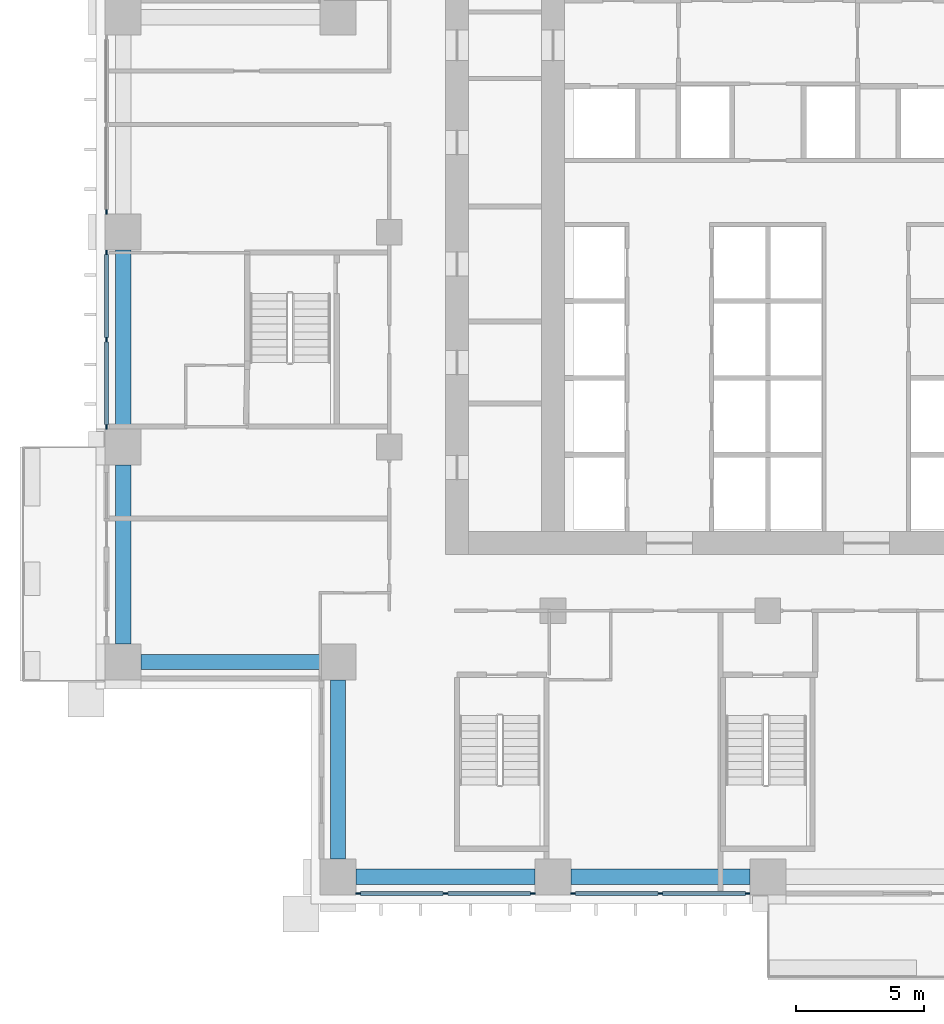
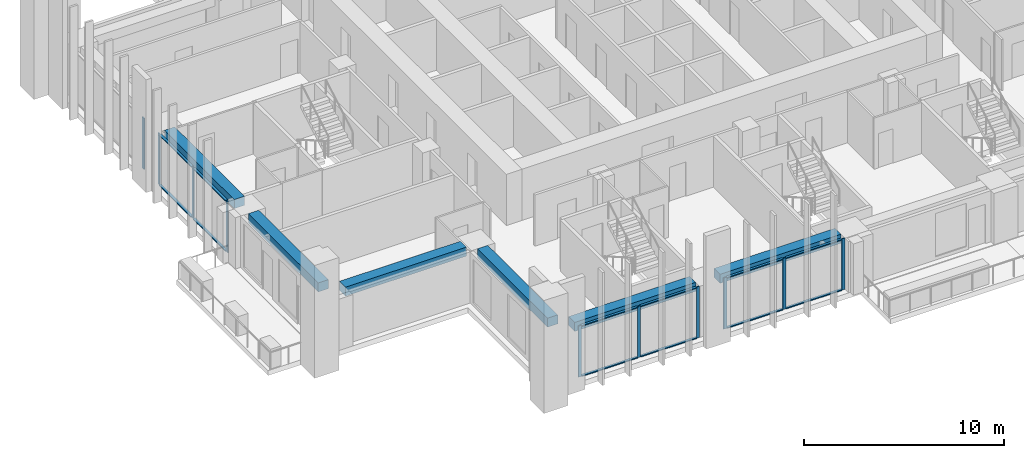
# One storey, part 2 of 19: 22 members, 6 beams, 4 elements without a shape of their own.
"""IFC4 building model written with IfcOpenShell, lengths in metres."""

from ifc_helpers import new_model, si_unit, direction, frame, origin, origin_2d, place, context, subcontext, project, spatial, rectangle, extrude, material, material_profile, profile_set, type_object, element, aggregate, save


model = new_model("IFC4")

# Units and contexts
model_context = context("Model", 3, precision=1e-05, world=origin(), true_north=direction((0.0, 1.0)))
body_context = subcontext(model_context, "Body", "Model", "MODEL_VIEW")
ifc_project = project(units=[si_unit("LENGTHUNIT", "METRE"), si_unit("AREAUNIT", "SQUARE_METRE"), si_unit("VOLUMEUNIT", "CUBIC_METRE"), si_unit("PLANEANGLEUNIT", "RADIAN"), si_unit("MASSUNIT", "GRAM", prefix="KILO")], contexts=[model_context])

# Site, building, storey
site_placement = place(None, origin())
site = spatial("IfcSite", under=ifc_project, at=site_placement, CompositionType="ELEMENT")
building_placement = place(site_placement, origin())
building = spatial("IfcBuilding", under=site, at=building_placement, Name="Vermilion Ogive Tower", CompositionType="ELEMENT")
storey_placement = place(building_placement, frame((0.0, 0.0, 62.10009765625)))
storey = spatial("IfcBuildingStorey", under=building, at=storey_placement, Name="L14", CompositionType="ELEMENT", Elevation=62.10009765625)

# Curtain wall, members
ifc_material_1 = material(Name="Low-iron laminated glazing in aluminium frame", Category="aluminium")
curtain_wall_type = type_object("IfcCurtainWallType", Name="Curtain wall CW7", PredefinedType="NOTDEFINED", material=ifc_material_1)
curtain_wall_1_placement = place(storey_placement, origin())
curtain_wall_1 = element("IfcCurtainWall", 1, at=curtain_wall_1_placement, inside=storey, type_object=curtain_wall_type, Name="Glazed skin S1", PredefinedType="NOTDEFINED")
ifc_material_2 = material(Name="Aluminium mullion", Category="aluminium")
ifc_material_profile_1 = material_profile(ifc_material_2, rectangle(XDim=0.06005859375, YDim=0.179931640625, at=origin_2d()), Name="AL 60x180")
ifc_profile_set_1 = profile_set([ifc_material_profile_1], Name="Aluminium mullion")
member_type_1 = type_object("IfcMemberType", Name="CW7 mullion 60x180", PredefinedType="MULLION", material=ifc_profile_set_1)
member_1_placement = place(storey_placement, frame((-16.010009765625, -21.64990234375, 0.0), z_axis=(0.0, 0.0, 1.0), x_axis=(0.0, 1.0, 0.0)))
member_1 = element("IfcMember", 2, at=member_1_placement, type_object=member_type_1, Name="CW7-S1 mullion 1", PredefinedType="MULLION", context=body_context, shape_type="SweptSolid", body=[
    extrude(rectangle(XDim=0.06005859375, YDim=0.179931640625, at=origin_2d()), origin(), (0.0, 0.0, 1.0), 3.1298828125),
])
member_2_placement = place(storey_placement, frame((-12.60009765625, -21.64990234375, 0.0), z_axis=(0.0, 0.0, 1.0), x_axis=(0.0, 1.0, 0.0)))
member_2 = element("IfcMember", 3, at=member_2_placement, type_object=member_type_1, Name="CW7-S1 mullion 2", PredefinedType="MULLION", context=body_context, shape_type="SweptSolid", body=[
    extrude(rectangle(XDim=0.06005859375, YDim=0.179931640625, at=origin_2d()), origin(), (0.0, 0.0, 1.0), 3.1298828125),
])
member_3_placement = place(storey_placement, frame((-9.18994140625, -21.64990234375, 0.0), z_axis=(0.0, 0.0, 1.0), x_axis=(0.0, 1.0, 0.0)))
member_3 = element("IfcMember", 4, at=member_3_placement, type_object=member_type_1, Name="CW7-S1 mullion 3", PredefinedType="MULLION", context=body_context, shape_type="SweptSolid", body=[
    extrude(rectangle(XDim=0.06005859375, YDim=0.179931640625, at=origin_2d()), origin(), (0.0, 0.0, 1.0), 3.1298828125),
])

curtain_wall_2_placement = place(storey_placement, origin())
curtain_wall_2 = element("IfcCurtainWall", 5, at=curtain_wall_2_placement, inside=storey, type_object=curtain_wall_type, Name="Glazed skin S2", PredefinedType="NOTDEFINED")
member_4_placement = place(storey_placement, frame((-7.610107421875, -21.64990234375, 0.0), z_axis=(0.0, 0.0, 1.0), x_axis=(0.0, 1.0, 0.0)))
member_4 = element("IfcMember", 6, at=member_4_placement, type_object=member_type_1, Name="CW7-S2 mullion 1", PredefinedType="MULLION", context=body_context, shape_type="SweptSolid", body=[
    extrude(rectangle(XDim=0.06005859375, YDim=0.179931640625, at=origin_2d()), origin(), (0.0, 0.0, 1.0), 3.1298828125),
])
member_5_placement = place(storey_placement, frame((-4.199951171875, -21.64990234375, 0.0), z_axis=(0.0, 0.0, 1.0), x_axis=(0.0, 1.0, 0.0)))
member_5 = element("IfcMember", 7, at=member_5_placement, type_object=member_type_1, Name="CW7-S2 mullion 2", PredefinedType="MULLION", context=body_context, shape_type="SweptSolid", body=[
    extrude(rectangle(XDim=0.06005859375, YDim=0.179931640625, at=origin_2d()), origin(), (0.0, 0.0, 1.0), 3.1298828125),
])
member_6_placement = place(storey_placement, frame((-0.7900390625, -21.64990234375, 0.0), z_axis=(0.0, 0.0, 1.0), x_axis=(0.0, 1.0, 0.0)))
member_6 = element("IfcMember", 8, at=member_6_placement, type_object=member_type_1, Name="CW7-S2 mullion 3", PredefinedType="MULLION", context=body_context, shape_type="SweptSolid", body=[
    extrude(rectangle(XDim=0.06005859375, YDim=0.179931640625, at=origin_2d()), origin(), (0.0, 0.0, 1.0), 3.1298828125),
])

# Curtain wall, member
curtain_wall_3_placement = place(storey_placement, origin())
curtain_wall_3 = element("IfcCurtainWall", 9, at=curtain_wall_3_placement, inside=storey, type_object=curtain_wall_type, Name="Glazed skin W1", PredefinedType="NOTDEFINED")
member_7_placement = place(storey_placement, frame((-25.85009765625, 4.989990234375, 0.0), z_axis=(0.0, 0.0, 1.0), x_axis=(1.0, 0.0, 0.0)))
member_7 = element("IfcMember", 10, at=member_7_placement, type_object=member_type_1, Name="CW7-W1 mullion 3", PredefinedType="MULLION", context=body_context, shape_type="SweptSolid", body=[
    extrude(rectangle(XDim=0.06005859375, YDim=0.179931640625, at=origin_2d()), origin(), (0.0, 0.0, 1.0), 3.1298828125),
])
aggregate(curtain_wall_3, [member_7])

# Curtain wall, members
curtain_wall_4_placement = place(storey_placement, origin())
curtain_wall_4 = element("IfcCurtainWall", 11, at=curtain_wall_4_placement, inside=storey, type_object=curtain_wall_type, Name="Glazed skin W2", PredefinedType="NOTDEFINED")
member_8_placement = place(storey_placement, frame((-25.85009765625, 3.409912109375, 0.0), z_axis=(0.0, 0.0, 1.0), x_axis=(1.0, 0.0, 0.0)))
member_8 = element("IfcMember", 12, at=member_8_placement, type_object=member_type_1, Name="CW7-W2 mullion 1", PredefinedType="MULLION", context=body_context, shape_type="SweptSolid", body=[
    extrude(rectangle(XDim=0.06005859375, YDim=0.179931640625, at=origin_2d()), origin(), (0.0, 0.0, 1.0), 3.1298828125),
])
member_9_placement = place(storey_placement, frame((-25.85009765625, 0.0, 0.0), z_axis=(0.0, 0.0, 1.0), x_axis=(1.0, 0.0, 0.0)))
member_9 = element("IfcMember", 13, at=member_9_placement, type_object=member_type_1, Name="CW7-W2 mullion 2", PredefinedType="MULLION", context=body_context, shape_type="SweptSolid", body=[
    extrude(rectangle(XDim=0.06005859375, YDim=0.179931640625, at=origin_2d()), origin(), (0.0, 0.0, 1.0), 3.1298828125),
])
member_10_placement = place(storey_placement, frame((-25.85009765625, -3.409912109375, 0.0), z_axis=(0.0, 0.0, 1.0), x_axis=(1.0, 0.0, 0.0)))
member_10 = element("IfcMember", 14, at=member_10_placement, type_object=member_type_1, Name="CW7-W2 mullion 3", PredefinedType="MULLION", context=body_context, shape_type="SweptSolid", body=[
    extrude(rectangle(XDim=0.06005859375, YDim=0.179931640625, at=origin_2d()), origin(), (0.0, 0.0, 1.0), 3.1298828125),
])

# Member
ifc_material_3 = material(Name="Aluminium transom", Category="aluminium")
ifc_material_profile_2 = material_profile(ifc_material_3, rectangle(XDim=0.139892578125, YDim=0.06005859375, at=origin_2d()), Name="AL 60x140")
ifc_profile_set_2 = profile_set([ifc_material_profile_2], Name="Aluminium transom")
member_type_2 = type_object("IfcMemberType", Name="CW7 transom 60x140", PredefinedType="USERDEFINED", material=ifc_profile_set_2)
member_11_placement = place(storey_placement, frame((-15.919921875, -21.64990234375, 0.02978515625), z_axis=(1.0, 0.0, 0.0), x_axis=(0.0, 1.0, 0.0)))
member_11 = element("IfcMember", 15, at=member_11_placement, type_object=member_type_2, Name="CW7-S1 transom 1.1", ObjectType="TRANSOM", PredefinedType="USERDEFINED", context=body_context, shape_type="SweptSolid", body=[
    extrude(rectangle(XDim=0.139892578125, YDim=0.06005859375, at=origin_2d()), origin(), (0.0, 0.0, 1.0), 3.22998046875),
])

member_12_placement = place(storey_placement, frame((-15.919921875, -21.64990234375, 3.099853515625), z_axis=(1.0, 0.0, 0.0), x_axis=(0.0, 1.0, 0.0)))
member_12 = element("IfcMember", 16, at=member_12_placement, type_object=member_type_2, Name="CW7-S1 transom 1.2", ObjectType="TRANSOM", PredefinedType="USERDEFINED", context=body_context, shape_type="SweptSolid", body=[
    extrude(rectangle(XDim=0.139892578125, YDim=0.06005859375, at=origin_2d()), origin(), (0.0, 0.0, 1.0), 3.22998046875),
])

member_13_placement = place(storey_placement, frame((-12.510009765625, -21.64990234375, 0.02978515625), z_axis=(1.0, 0.0, 0.0), x_axis=(0.0, 1.0, 0.0)))
member_13 = element("IfcMember", 17, at=member_13_placement, type_object=member_type_2, Name="CW7-S1 transom 2.1", ObjectType="TRANSOM", PredefinedType="USERDEFINED", context=body_context, shape_type="SweptSolid", body=[
    extrude(rectangle(XDim=0.139892578125, YDim=0.06005859375, at=origin_2d()), origin(), (0.0, 0.0, 1.0), 3.22998046875),
])

member_14_placement = place(storey_placement, frame((-12.510009765625, -21.64990234375, 3.099853515625), z_axis=(1.0, 0.0, 0.0), x_axis=(0.0, 1.0, 0.0)))
member_14 = element("IfcMember", 18, at=member_14_placement, type_object=member_type_2, Name="CW7-S1 transom 2.2", ObjectType="TRANSOM", PredefinedType="USERDEFINED", context=body_context, shape_type="SweptSolid", body=[
    extrude(rectangle(XDim=0.139892578125, YDim=0.06005859375, at=origin_2d()), origin(), (0.0, 0.0, 1.0), 3.22998046875),
])

aggregate(curtain_wall_1, [member_1, member_2, member_3, member_11, member_12, member_13, member_14])

member_15_placement = place(storey_placement, frame((-7.52001953125, -21.64990234375, 0.02978515625), z_axis=(1.0, 0.0, 0.0), x_axis=(0.0, 1.0, 0.0)))
member_15 = element("IfcMember", 19, at=member_15_placement, type_object=member_type_2, Name="CW7-S2 transom 1.1", ObjectType="TRANSOM", PredefinedType="USERDEFINED", context=body_context, shape_type="SweptSolid", body=[
    extrude(rectangle(XDim=0.139892578125, YDim=0.06005859375, at=origin_2d()), origin(), (0.0, 0.0, 1.0), 3.22998046875),
])

member_16_placement = place(storey_placement, frame((-7.52001953125, -21.64990234375, 3.099853515625), z_axis=(1.0, 0.0, 0.0), x_axis=(0.0, 1.0, 0.0)))
member_16 = element("IfcMember", 20, at=member_16_placement, type_object=member_type_2, Name="CW7-S2 transom 1.2", ObjectType="TRANSOM", PredefinedType="USERDEFINED", context=body_context, shape_type="SweptSolid", body=[
    extrude(rectangle(XDim=0.139892578125, YDim=0.06005859375, at=origin_2d()), origin(), (0.0, 0.0, 1.0), 3.22998046875),
])

member_17_placement = place(storey_placement, frame((-4.110107421875, -21.64990234375, 0.02978515625), z_axis=(1.0, 0.0, 0.0), x_axis=(0.0, 1.0, 0.0)))
member_17 = element("IfcMember", 21, at=member_17_placement, type_object=member_type_2, Name="CW7-S2 transom 2.1", ObjectType="TRANSOM", PredefinedType="USERDEFINED", context=body_context, shape_type="SweptSolid", body=[
    extrude(rectangle(XDim=0.139892578125, YDim=0.06005859375, at=origin_2d()), origin(), (0.0, 0.0, 1.0), 3.230224609375),
])

member_18_placement = place(storey_placement, frame((-4.110107421875, -21.64990234375, 3.099853515625), z_axis=(1.0, 0.0, 0.0), x_axis=(0.0, 1.0, 0.0)))
member_18 = element("IfcMember", 22, at=member_18_placement, type_object=member_type_2, Name="CW7-S2 transom 2.2", ObjectType="TRANSOM", PredefinedType="USERDEFINED", context=body_context, shape_type="SweptSolid", body=[
    extrude(rectangle(XDim=0.139892578125, YDim=0.06005859375, at=origin_2d()), origin(), (0.0, 0.0, 1.0), 3.230224609375),
])

aggregate(curtain_wall_2, [member_4, member_5, member_6, member_15, member_16, member_17, member_18])

member_19_placement = place(storey_placement, frame((-25.85009765625, 3.320068359375, 0.02978515625), z_axis=(0.0, -1.0, 0.0), x_axis=(1.0, 0.0, 0.0)))
member_19 = element("IfcMember", 23, at=member_19_placement, type_object=member_type_2, Name="CW7-W2 transom 1.1", ObjectType="TRANSOM", PredefinedType="USERDEFINED", context=body_context, shape_type="SweptSolid", body=[
    extrude(rectangle(XDim=0.139892578125, YDim=0.06005859375, at=origin_2d()), origin(), (0.0, 0.0, 1.0), 3.22998046875),
])

member_20_placement = place(storey_placement, frame((-25.85009765625, 3.320068359375, 3.099853515625), z_axis=(0.0, -1.0, 0.0), x_axis=(1.0, 0.0, 0.0)))
member_20 = element("IfcMember", 24, at=member_20_placement, type_object=member_type_2, Name="CW7-W2 transom 1.2", ObjectType="TRANSOM", PredefinedType="USERDEFINED", context=body_context, shape_type="SweptSolid", body=[
    extrude(rectangle(XDim=0.139892578125, YDim=0.06005859375, at=origin_2d()), origin(), (0.0, 0.0, 1.0), 3.22998046875),
])

member_21_placement = place(storey_placement, frame((-25.85009765625, -0.090087890625, 0.02978515625), z_axis=(0.0, -1.0, 0.0), x_axis=(1.0, 0.0, 0.0)))
member_21 = element("IfcMember", 25, at=member_21_placement, type_object=member_type_2, Name="CW7-W2 transom 2.1", ObjectType="TRANSOM", PredefinedType="USERDEFINED", context=body_context, shape_type="SweptSolid", body=[
    extrude(rectangle(XDim=0.139892578125, YDim=0.06005859375, at=origin_2d()), origin(), (0.0, 0.0, 1.0), 3.22998046875),
])

member_22_placement = place(storey_placement, frame((-25.85009765625, -0.090087890625, 3.099853515625), z_axis=(0.0, -1.0, 0.0), x_axis=(1.0, 0.0, 0.0)))
member_22 = element("IfcMember", 26, at=member_22_placement, type_object=member_type_2, Name="CW7-W2 transom 2.2", ObjectType="TRANSOM", PredefinedType="USERDEFINED", context=body_context, shape_type="SweptSolid", body=[
    extrude(rectangle(XDim=0.139892578125, YDim=0.06005859375, at=origin_2d()), origin(), (0.0, 0.0, 1.0), 3.22998046875),
])

aggregate(curtain_wall_4, [member_8, member_9, member_10, member_19, member_20, member_21, member_22])

# Beams
ifc_material_4 = material(Name="Concrete B45", Category="concrete")
ifc_material_profile_3 = material_profile(ifc_material_4, rectangle(XDim=0.60009765625, YDim=0.550048828125, at=origin_2d()), Name="600 x 550")
ifc_profile_set_3 = profile_set([ifc_material_profile_3], Name="Concrete B45")
beam_type = type_object("IfcBeamType", Name="Edge beam 600 x 550 B45", PredefinedType="BEAM", material=ifc_profile_set_3)
for number, where, z_axis, x_axis, name in (
    (27, (-16.10009765625, -21.0, 2.85498046875), (1.0, 0.0, 0.0), (0.0, 1.0, 0.0), "L14-EB-1"),
    (28, (-7.699951171875, -21.0, 2.85498046875), (1.0, 0.0, 0.0), (0.0, 1.0, 0.0), "L14-EB-2"),
    (29, (-25.199951171875, 3.5, 2.85498046875), (0.0, -1.0, 0.0), (1.0, 0.0, 0.0), "L14-EB-15"),
    (30, (-25.199951171875, -4.89990234375, 2.85498046875), (0.0, -1.0, 0.0), (1.0, 0.0, 0.0), "L14-EB-16"),
    (31, (-24.5, -12.60009765625, 2.85498046875), (1.0, 0.0, 0.0), (0.0, 1.0, 0.0), "L14-EB-17"),
    (32, (-16.800048828125, -13.300048828125, 2.85498046875), (0.0, -1.0, 0.0), (1.0, 0.0, 0.0), "L14-EB-18"),
):
    element("IfcBeam", number, at=place(storey_placement, frame(where, z_axis=z_axis, x_axis=x_axis)), inside=storey, type_object=beam_type, Name=name, PredefinedType="BEAM", context=body_context, shape_type="SweptSolid", body=[
        extrude(rectangle(XDim=0.60009765625, YDim=0.550048828125, at=origin_2d()), origin(), (0.0, 0.0, 1.0), 7.0),
    ])

save(model, "model.ifc")
